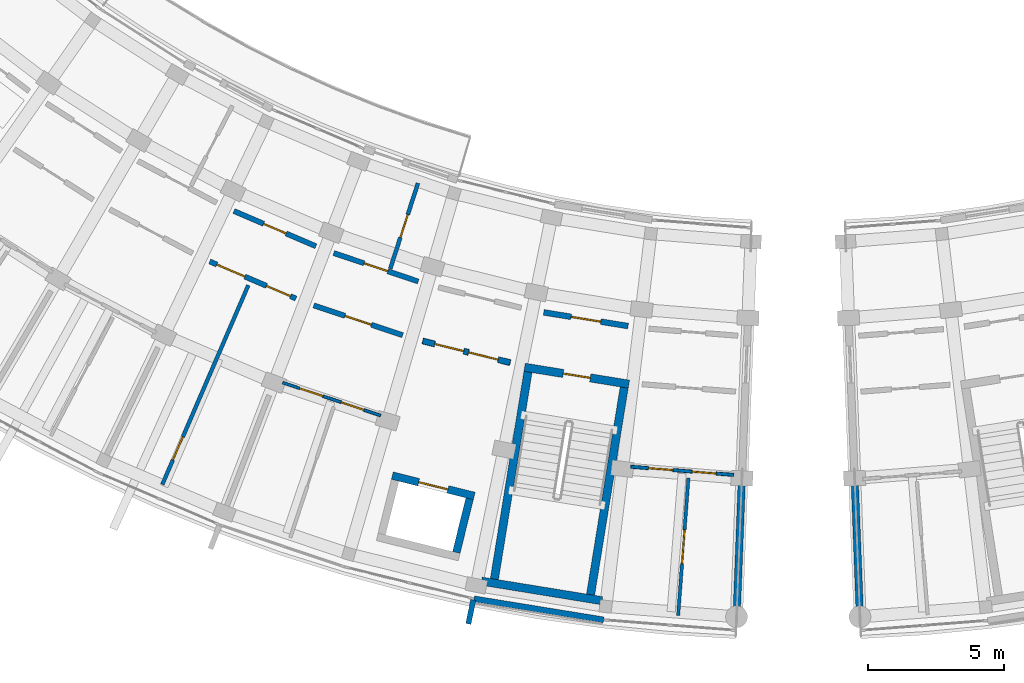
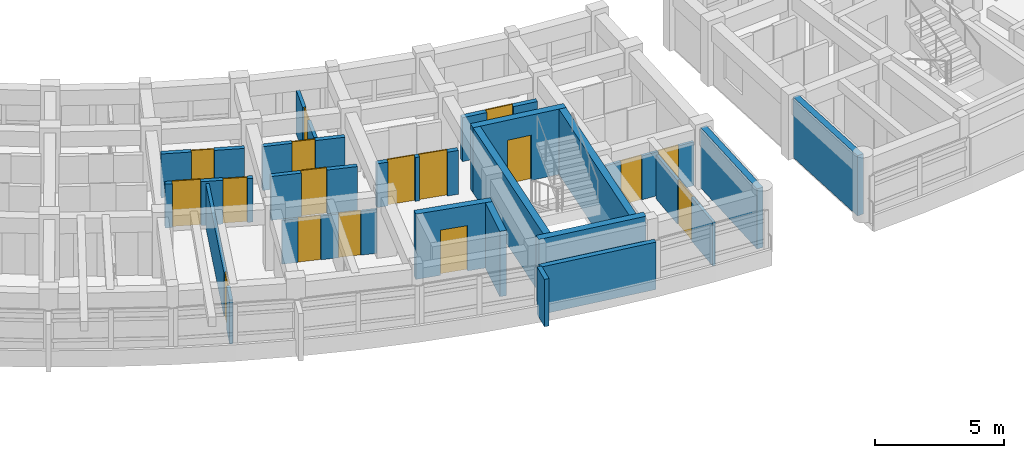
# One storey, part 34 of 56: 21 walls, 17 doors, 17 openings.
"""IFC4 building model written with IfcOpenShell, lengths in metres."""

import ifcopenshell
import ifcopenshell.guid

model = None  # the IFC model being written
_history = None  # IfcOwnerHistory: only IFC2X3 demands one
_inside = {}  # id of a spatial element -> (the spatial element, [elements in it])
_under = {}  # id of a project, library or spatial element -> (it, [spatial elements below it])
_declared = {}  # id of a project -> (the project, [libraries it declares])
_typed = {}  # id of a type object -> (the type object, [elements of that type])
_made_of = {}  # id of a material, layer set ... -> (it, [elements and type objects made of it])


def new_model(schema):
    """Start an empty IFC model of exactly this schema.

    Asked for "IFC4X3", IfcOpenShell would pick the latest addendum, in which some entities
    have other attributes; the version numbers below select the first issue.
    IFC2X3 requires an IfcOwnerHistory on every rooted entity: one is made here for all.
    """
    global model, _history
    if schema == "IFC4X3":
        model = ifcopenshell.file(schema_version=(4, 3, 0, 0))
    else:
        model = ifcopenshell.file(schema=schema)
    _inside.clear()
    _under.clear()
    _declared.clear()
    _typed.clear()
    _made_of.clear()
    _history = None
    if model.schema == "IFC2X3":
        org = make("IfcOrganization", Name="unknown")
        user = make(
            "IfcPersonAndOrganization",
            ThePerson=make("IfcPerson", FamilyName="unknown"),
            TheOrganization=org,
        )
        app = make(
            "IfcApplication",
            ApplicationDeveloper=org,
            Version="unknown",
            ApplicationFullName="unknown",
            ApplicationIdentifier="unknown",
        )
        _history = make(
            "IfcOwnerHistory",
            OwningUser=user,
            OwningApplication=app,
            ChangeAction="ADDED",
            CreationDate=0,
        )
    return model


def make(cls, **values):
    """One entity of the class cls with the attributes given. An attribute that is None is left unset."""
    return model.create_entity(
        cls, **{name: value for name, value in values.items() if value is not None}
    )


def rooted(cls, **values):
    """An entity with a GlobalId (a new one), such as an element, a storey or a relation."""
    return make(cls, GlobalId=ifcopenshell.guid.new(), OwnerHistory=_history, **values)


def si_unit(unit_type, name, prefix=None):
    """IfcSIUnit, for example si_unit("LENGTHUNIT", "METRE", prefix="MILLI")."""
    return make("IfcSIUnit", UnitType=unit_type, Prefix=prefix, Name=name)


def assignment(units):
    """IfcUnitAssignment: the units of a project."""
    return None if units is None else make("IfcUnitAssignment", Units=units)


def point(xyz):
    """IfcCartesianPoint."""
    return None if xyz is None else make("IfcCartesianPoint", Coordinates=xyz)


def direction(xyz):
    """IfcDirection."""
    return None if xyz is None else make("IfcDirection", DirectionRatios=xyz)


def frame(location, z_axis=None, x_axis=None):
    """IfcAxis2Placement3D, a coordinate frame: its origin and axes. An axis left out is left unset."""
    return make(
        "IfcAxis2Placement3D",
        Location=point(location),
        Axis=direction(z_axis),
        RefDirection=direction(x_axis),
    )


def frame_2d(location, x_axis=None):
    """IfcAxis2Placement2D, a coordinate frame in the plane: its origin and x axis."""
    return make(
        "IfcAxis2Placement2D", Location=point(location), RefDirection=direction(x_axis)
    )


def origin():
    """The frame at (0, 0, 0) with its axes left unset."""
    return frame((0.0, 0.0, 0.0))


def place(relative_to, where):
    """IfcLocalPlacement: puts the frame where relative to a parent placement (None: the world)."""
    return make(
        "IfcLocalPlacement", PlacementRelTo=relative_to, RelativePlacement=where
    )


def context(
    kind, dimensions, precision=None, world=None, true_north=None, identifier=None
):
    """IfcGeometricRepresentationContext, for example the 3D "Model" context."""
    return make(
        "IfcGeometricRepresentationContext",
        ContextIdentifier=identifier,
        ContextType=kind,
        CoordinateSpaceDimension=dimensions,
        Precision=precision,
        WorldCoordinateSystem=world,
        TrueNorth=true_north,
    )


def subcontext(parent, identifier, kind, view, scale=None):
    """IfcGeometricRepresentationSubContext, for example "Body" below "Model"."""
    return make(
        "IfcGeometricRepresentationSubContext",
        ContextIdentifier=identifier,
        ContextType=kind,
        ParentContext=parent,
        TargetScale=scale,
        TargetView=view,
    )


def project(units=None, contexts=None):
    """IfcProject with its units and contexts."""
    return rooted(
        "IfcProject",
        Name="project",
        RepresentationContexts=contexts,
        UnitsInContext=assignment(units),
    )


def spatial(cls, under=None, at=None, **own):
    """A site, building, storey or space (cls), placed at a placement, below another one or the project."""
    s = rooted(cls, ObjectPlacement=at, **own)
    if under is not None:
        _under.setdefault(under.id(), (under, []))[1].append(s)
    return s


def profile(cls, at=None, kind="AREA", **sizes):
    """A parametric profile (cls). Its sizes go by their IFC names, for example OverallWidth=200.0."""
    return make(cls, ProfileType=kind, Position=at, **sizes)


def rectangle(**sizes):
    """IfcRectangleProfileDef."""
    return profile("IfcRectangleProfileDef", **sizes)


def extrude(swept, where, along, depth):
    """IfcExtrudedAreaSolid: the profile swept, set in the frame where, extruded along a direction by depth."""
    return make(
        "IfcExtrudedAreaSolid",
        SweptArea=swept,
        Position=where,
        ExtrudedDirection=direction(along),
        Depth=depth,
    )


def shape(context_of_items, identifier, shape_type, items):
    """IfcShapeRepresentation: the items that make up one representation, for example the "Body"."""
    return make(
        "IfcShapeRepresentation",
        ContextOfItems=context_of_items,
        RepresentationIdentifier=identifier,
        RepresentationType=shape_type,
        Items=items,
    )


def material(Name=None, Category=None):
    """IfcMaterial."""
    return make("IfcMaterial", Name=Name, Category=Category)


def layer(
    of_material, thickness, ventilated=None, Name=None, Category=None, Priority=None
):
    """IfcMaterialLayer: one layer of a wall or slab, of a material (None: an air gap)."""
    return make(
        "IfcMaterialLayer",
        Material=of_material,
        LayerThickness=thickness,
        IsVentilated=ventilated,
        Name=Name,
        Category=Category,
        Priority=Priority,
    )


def layer_set(layers, Name=None):
    """IfcMaterialLayerSet."""
    return make("IfcMaterialLayerSet", MaterialLayers=layers, LayerSetName=Name)


def made_of(thing, what):
    """Note that an element or type object is made of a material, layer set ...; save() writes the relation."""
    if what is not None:
        _made_of.setdefault(what.id(), (what, []))[1].append(thing)
    return thing


def type_object(cls, material=None, **own):
    """A type object (cls), such as IfcWallType, which elements share."""
    return made_of(rooted(cls, **own), material)


def element(
    cls,
    number,
    at=None,
    inside=None,
    cuts=None,
    type_object=None,
    material=None,
    context=None,
    identifier="Body",
    shape_type=None,
    held_by="IfcProductDefinitionShape",
    body=None,
    shapes=None,
    **own,
):
    """One element of the class cls, such as IfcWall. Its Tag is "e" and its number.

    at: its placement. inside: the storey or other place that contains it. cuts: it is an
    opening in that element (IfcRelVoidsElement). A single representation is given by context,
    identifier, shape_type and body (its items); several are given by shapes. held_by: the class
    of the entity that holds the representations. save() writes the other relations.
    """
    e = rooted(cls, Tag="e%d" % number, ObjectPlacement=at, **own)
    if body is not None:
        shapes = [shape(context, identifier, shape_type, body)]
    if shapes is not None:
        e.Representation = make(held_by, Representations=shapes)
    if inside is not None:
        _inside.setdefault(inside.id(), (inside, []))[1].append(e)
    if cuts is not None:
        rooted(
            "IfcRelVoidsElement", RelatingBuildingElement=cuts, RelatedOpeningElement=e
        )
    if type_object is not None:
        _typed.setdefault(type_object.id(), (type_object, []))[1].append(e)
    return made_of(e, material)


def fill(opening, filler):
    """IfcRelFillsElement: the door or window that sits in an opening."""
    return rooted(
        "IfcRelFillsElement",
        RelatingOpeningElement=opening,
        RelatedBuildingElement=filler,
    )


def aggregate(whole, parts):
    """IfcRelAggregates: a whole, such as a stair, and the parts it consists of."""
    return rooted("IfcRelAggregates", RelatingObject=whole, RelatedObjects=parts)


def save(model, path):
    """Write the relations noted so far, then the file.

    IfcRelAggregates (storeys below a building ...), IfcRelContainedInSpatialStructure (elements
    in a storey), IfcRelDefinesByType, IfcRelAssociatesMaterial and IfcRelDeclares: one each for
    every whole, place, type object, material and project.
    """
    for whole, parts in _under.values():
        aggregate(whole, parts)
    for where, things in _inside.values():
        rooted(
            "IfcRelContainedInSpatialStructure",
            RelatedElements=things,
            RelatingStructure=where,
        )
    for kind, things in _typed.values():
        rooted("IfcRelDefinesByType", RelatedObjects=things, RelatingType=kind)
    for what, things in _made_of.values():
        rooted("IfcRelAssociatesMaterial", RelatedObjects=things, RelatingMaterial=what)
    for by, libraries in _declared.values():
        rooted("IfcRelDeclares", RelatingContext=by, RelatedDefinitions=libraries)
    model.write(path)


model = new_model("IFC4")

# Units and contexts
model_context = context("Model", 3, precision=1e-05, world=origin(), true_north=direction((0.0, 1.0)))
body_context = subcontext(model_context, "Body", "Model", "MODEL_VIEW")
ifc_project = project(units=[si_unit("LENGTHUNIT", "METRE"), si_unit("AREAUNIT", "SQUARE_METRE"), si_unit("VOLUMEUNIT", "CUBIC_METRE"), si_unit("PLANEANGLEUNIT", "RADIAN"), si_unit("MASSUNIT", "GRAM", prefix="KILO")], contexts=[model_context])

# Site, building, storey
site_placement = place(None, origin())
site = spatial("IfcSite", under=ifc_project, at=site_placement, CompositionType="ELEMENT")
building_placement = place(site_placement, origin())
building = spatial("IfcBuilding", under=site, at=building_placement, Name="Zimvara Arc Housing Community", CompositionType="ELEMENT")
storey_placement = place(building_placement, frame((0.0, 0.0, 11.199951171875)))
storey = spatial("IfcBuildingStorey", under=building, at=storey_placement, Name="L03", CompositionType="ELEMENT", Elevation=11.199951171875)

# Walls
ifc_material_1 = material(Name="Board-Marked Fair-Faced Concrete C35/45", Category="concrete")
ifc_layer_1 = layer(ifc_material_1, 0.195068359375)
ifc_layer_set_1 = layer_set([ifc_layer_1], Name="Board-Marked Fair-Faced Concrete C35/45")
wall_type_1 = type_object("IfcWallType", Name="EWL-PARA-195", PredefinedType="PARAPET", material=ifc_layer_set_1)
wall_1_placement = place(storey_placement, frame((114.072509765625, 51.645263671875, 0.0), z_axis=(0.0, 0.0, 1.0), x_axis=(-0.200236425943, -0.979747607155, 0.0)))
element("IfcWall", 1, at=wall_1_placement, inside=storey, type_object=wall_type_1, Name="finwall:blkC:L03:out:b8", PredefinedType="PARAPET", context=body_context, shape_type="SweptSolid", body=[
    extrude(rectangle(XDim=0.89990234375, YDim=0.195068359375, at=frame_2d((0.449951171875, 0.0))), origin(), (0.0, 0.0, 1.0), 2.25),
])
ifc_material_2 = material(Name="Board-Marked Fair-Faced Concrete C35/45", Category="concrete")
ifc_layer_2 = layer(ifc_material_2, 0.218017578125)
ifc_layer_set_2 = layer_set([ifc_layer_2], Name="Board-Marked Fair-Faced Concrete C35/45")
wall_type_2 = type_object("IfcWallType", Name="EWL-VAR-12", PredefinedType="SOLIDWALL", material=ifc_layer_set_2)
wall_2_placement = place(storey_placement, frame((114.100341796875, 51.681396484375, 0.0), z_axis=(0.0, 0.0, 1.0), x_axis=(0.987080750493, -0.160223568819, 0.0)))
element("IfcWall", 2, at=wall_2_placement, inside=storey, type_object=wall_type_2, Name="ewall:blkC:L03:out:b8", PredefinedType="SOLIDWALL", context=body_context, shape_type="SweptSolid", body=[
    extrude(rectangle(XDim=4.808837890625, YDim=0.218017578125, at=frame_2d((2.404296875, 0.0))), origin(), (0.0, 0.0, 1.0), 2.25),
])

# Wall, openings, doors
ifc_material_3 = material(Name="Concrete C35/45", Category="concrete")
ifc_layer_3 = layer(ifc_material_3, 0.2099609375)
ifc_layer_set_3 = layer_set([ifc_layer_3], Name="Concrete C35/45")
wall_type_3 = type_object("IfcWallType", Name="IWL-CCF-210", PredefinedType="SOLIDWALL", material=ifc_layer_set_3)
wall_3_placement = place(storey_placement, frame((112.222900390625, 61.130126953125, 0.0), z_axis=(0.0, 0.0, 1.0), x_axis=(0.970719238682, -0.240216901263, 0.0)))
wall_3 = element("IfcWall", 3, at=wall_3_placement, inside=storey, type_object=wall_type_3, Name="iwall:blkC:L03:ll_div:b7", PredefinedType="SOLIDWALL", context=body_context, shape_type="SweptSolid", body=[
    extrude(rectangle(XDim=3.2958984375, YDim=0.2099609375, at=frame_2d((1.64794921875, 0.0))), origin(), (0.0, 0.0, 1.0), 2.080078125),
])
opening_1_placement = place(wall_3_placement, frame((0.449951171875, 0.0, 0.0)))
opening_1 = element("IfcOpeningElement", 4, at=opening_1_placement, cuts=wall_3, Name="Opening FD-CCF1", PredefinedType="OPENING", context=body_context, shape_type="SweptSolid", body=[
    extrude(rectangle(XDim=1.10009765625, YDim=2.14990234375, at=frame_2d((0.550048828125, 1.074951171875))), frame((0.0, 0.114990234375, 0.0), z_axis=(0.0, -1.0, 0.0), x_axis=(1.0, 0.0, 0.0)), (0.0, 0.0, 1.0), 0.22998046875),
])
opening_2_placement = place(wall_3_placement, frame((1.72607421875, 0.0, 0.0)))
opening_2 = element("IfcOpeningElement", 5, at=opening_2_placement, cuts=wall_3, Name="Opening D07", PredefinedType="OPENING", context=body_context, shape_type="SweptSolid", body=[
    extrude(rectangle(XDim=1.1201171875, YDim=2.14990234375, at=frame_2d((0.56005859375, 1.074951171875))), frame((0.0, 0.114990234375, 0.0), z_axis=(0.0, -1.0, 0.0), x_axis=(1.0, 0.0, 0.0)), (0.0, 0.0, 1.0), 0.22998046875),
])
ifc_material_4 = material(Name="Mozambican Hardwood", Category="wood")
door_type_1 = type_object("IfcDoorType", Name="IDR-AMN-1120x2150", OperationType="NOTDEFINED", PredefinedType="DOOR", material=ifc_material_4)
door_1_placement = place(opening_2_placement, origin())
door_1 = element("IfcDoor", 6, at=door_1_placement, inside=storey, type_object=door_type_1, Name="idoor:blkC:L03:rs_in:b7", OperationType="SINGLE_SWING_LEFT", OverallHeight=2.14990234375, OverallWidth=1.1201171875, PredefinedType="DOOR", context=body_context, shape_type="SweptSolid", body=[
    extrude(rectangle(XDim=1.1201171875, YDim=2.14990234375, at=frame_2d((0.56005859375, 1.074951171875))), frame((0.0, 0.02490234375, 0.0), z_axis=(0.0, -1.0, 0.0), x_axis=(1.0, 0.0, 0.0)), (0.0, 0.0, 1.0), 0.050048828125),
])
fill(opening_2, door_1)
ifc_material_5 = material(Name="Anodised Aluminium AW-6063", Category="aluminium")
door_type_2 = type_object("IfcDoorType", Name="IDR-CCF-1100x2150", OperationType="NOTDEFINED", PredefinedType="DOOR", material=ifc_material_5)
door_2_placement = place(opening_1_placement, origin())
door_2 = element("IfcDoor", 7, at=door_2_placement, inside=storey, type_object=door_type_2, Name="idoor:blkC:L03:ll_in:b7", OperationType="SINGLE_SWING_RIGHT", OverallHeight=2.14990234375, OverallWidth=1.10009765625, PredefinedType="DOOR", context=body_context, shape_type="SweptSolid", body=[
    extrude(rectangle(XDim=1.10009765625, YDim=2.14990234375, at=frame_2d((0.550048828125, 1.074951171875))), frame((0.0, 0.02490234375, 0.0), z_axis=(0.0, -1.0, 0.0), x_axis=(1.0, 0.0, 0.0)), (0.0, 0.0, 1.0), 0.050048828125),
])
fill(opening_1, door_2)

# Wall, opening, door
wall_4_placement = place(storey_placement, frame((116.655517578125, 62.178466796875, 0.0), z_axis=(0.0, 0.0, 1.0), x_axis=(0.987083140276, -0.16020884552, 0.0)))
wall_4 = element("IfcWall", 8, at=wall_4_placement, inside=storey, type_object=wall_type_3, Name="iwall:blkC:L03:ccf_div:b8", PredefinedType="SOLIDWALL", context=body_context, shape_type="SweptSolid", body=[
    extrude(rectangle(XDim=3.128662109375, YDim=0.2099609375, at=frame_2d((1.564453125, 0.0))), origin(), (0.0, 0.0, 1.0), 2.080078125),
])
opening_3_placement = place(wall_4_placement, frame((1.014404296875, 0.0, 0.0)))
opening_3 = element("IfcOpeningElement", 9, at=opening_3_placement, cuts=wall_4, Name="Opening FD-CCF1", PredefinedType="OPENING", context=body_context, shape_type="SweptSolid", body=[
    extrude(rectangle(XDim=1.10009765625, YDim=2.14990234375, at=frame_2d((0.550048828125, 1.074951171875))), frame((0.0, 0.114990234375, 0.0), z_axis=(0.0, -1.0, 0.0), x_axis=(1.0, 0.0, 0.0)), (0.0, 0.0, 1.0), 0.22998046875),
])
door_3_placement = place(opening_3_placement, origin())
door_3 = element("IfcDoor", 10, at=door_3_placement, inside=storey, type_object=door_type_2, Name="idoor:blkC:L03:ccf_in:b8", OperationType="SINGLE_SWING_LEFT", OverallHeight=2.14990234375, OverallWidth=1.10009765625, PredefinedType="DOOR", context=body_context, shape_type="SweptSolid", body=[
    extrude(rectangle(XDim=1.10009765625, YDim=2.14990234375, at=frame_2d((0.550048828125, 1.074951171875))), frame((0.0, 0.02490234375, 0.0), z_axis=(0.0, -1.0, 0.0), x_axis=(1.0, 0.0, 0.0)), (0.0, 0.0, 1.0), 0.050048828125),
])
fill(opening_3, door_3)

# Wall, openings, doors
ifc_material_6 = material(Name="Concrete C35/45", Category="concrete")
ifc_layer_4 = layer(ifc_material_6, 0.18994140625)
ifc_layer_set_4 = layer_set([ifc_layer_4], Name="Concrete C35/45")
wall_type_4 = type_object("IfcWallType", Name="IWL-CORR-190", PredefinedType="SOLIDWALL", material=ifc_layer_set_4)
wall_5_placement = place(storey_placement, frame((104.41650390625, 64.0439453125, 0.0), z_axis=(0.0, 0.0, 1.0), x_axis=(0.918718172399, -0.394913813008, 0.0)))
wall_5 = element("IfcWall", 11, at=wall_5_placement, inside=storey, type_object=wall_type_4, Name="iwall:blkC:L03:corr_out:b5", PredefinedType="SOLIDWALL", context=body_context, shape_type="SweptSolid", body=[
    extrude(rectangle(XDim=3.43603515625, YDim=0.18994140625, at=frame_2d((1.718017578125, 0.0))), origin(), (0.0, 0.0, 1.0), 2.080078125),
])
opening_4_placement = place(wall_5_placement, frame((0.280029296875, 0.0, 0.0)))
opening_4 = element("IfcOpeningElement", 12, at=opening_4_placement, cuts=wall_5, Name="Opening D07", PredefinedType="OPENING", context=body_context, shape_type="SweptSolid", body=[
    extrude(rectangle(XDim=1.1201171875, YDim=2.14990234375, at=frame_2d((0.56005859375, 1.074951171875))), frame((0.0, 0.10498046875, 0.0), z_axis=(0.0, -1.0, 0.0), x_axis=(1.0, 0.0, 0.0)), (0.0, 0.0, 1.0), 0.2099609375),
])
opening_5_placement = place(wall_5_placement, frame((2.26611328125, 0.0, 0.0)))
opening_5 = element("IfcOpeningElement", 13, at=opening_5_placement, cuts=wall_5, Name="Opening D06", PredefinedType="OPENING", context=body_context, shape_type="SweptSolid", body=[
    extrude(rectangle(XDim=0.949951171875, YDim=2.10009765625, at=frame_2d((0.47509765625, 1.050048828125))), frame((0.0, 0.10498046875, 0.0), z_axis=(0.0, -1.0, 0.0), x_axis=(1.0, 0.0, 0.0)), (0.0, 0.0, 1.0), 0.2099609375),
])
door_4_placement = place(opening_4_placement, origin())
door_4 = element("IfcDoor", 14, at=door_4_placement, inside=storey, type_object=door_type_1, Name="idoor:blkC:L03:amen:b5", OperationType="SINGLE_SWING_RIGHT", OverallHeight=2.14990234375, OverallWidth=1.1201171875, PredefinedType="DOOR", context=body_context, shape_type="SweptSolid", body=[
    extrude(rectangle(XDim=1.1201171875, YDim=2.14990234375, at=frame_2d((0.56005859375, 1.074951171875))), frame((0.0, 0.02490234375, 0.0), z_axis=(0.0, -1.0, 0.0), x_axis=(1.0, 0.0, 0.0)), (0.0, 0.0, 1.0), 0.050048828125),
])
fill(opening_4, door_4)
ifc_material_7 = material(Name="Mozambican Hardwood", Category="wood")
door_type_3 = type_object("IfcDoorType", Name="IDR-AWC-0950x2100", OperationType="NOTDEFINED", PredefinedType="DOOR", material=ifc_material_7)
door_5_placement = place(opening_5_placement, origin())
door_5 = element("IfcDoor", 15, at=door_5_placement, inside=storey, type_object=door_type_3, Name="idoor:blkC:L03:cawc:b5", OperationType="SINGLE_SWING_LEFT", OverallHeight=2.10009765625, OverallWidth=0.949951171875, PredefinedType="DOOR", context=body_context, shape_type="SweptSolid", body=[
    extrude(rectangle(XDim=0.949951171875, YDim=2.10009765625, at=frame_2d((0.47509765625, 1.050048828125))), frame((0.0, 0.02490234375, 0.0), z_axis=(0.0, -1.0, 0.0), x_axis=(1.0, 0.0, 0.0)), (0.0, 0.0, 1.0), 0.050048828125),
])
fill(opening_5, door_5)

# Wall, opening, door
wall_6_placement = place(storey_placement, frame((105.30224609375, 65.892822265625, 0.0), z_axis=(0.0, 0.0, 1.0), x_axis=(0.918723391052, -0.394901672235, 0.0)))
wall_6 = element("IfcWall", 16, at=wall_6_placement, inside=storey, type_object=wall_type_4, Name="iwall:blkC:L03:corr_in:b5", PredefinedType="SOLIDWALL", context=body_context, shape_type="SweptSolid", body=[
    extrude(rectangle(XDim=3.2685546875, YDim=0.18994140625, at=frame_2d((1.63427734375, 0.0))), origin(), (0.0, 0.0, 1.0), 2.080078125),
])
opening_6_placement = place(wall_6_placement, frame((1.184326171875, 0.0, 0.0)))
opening_6 = element("IfcOpeningElement", 17, at=opening_6_placement, cuts=wall_6, Name="Opening D01", PredefinedType="OPENING", context=body_context, shape_type="SweptSolid", body=[
    extrude(rectangle(XDim=0.89990234375, YDim=2.10009765625, at=frame_2d((0.449951171875, 1.050048828125))), frame((0.0, 0.10498046875, 0.0), z_axis=(0.0, -1.0, 0.0), x_axis=(1.0, 0.0, 0.0)), (0.0, 0.0, 1.0), 0.2099609375),
])
ifc_material_8 = material(Name="Mozambican Hardwood", Category="wood")
door_type_4 = type_object("IfcDoorType", Name="IDR-RM-0900x2100", OperationType="NOTDEFINED", PredefinedType="DOOR", material=ifc_material_8)
door_6_placement = place(opening_6_placement, origin())
door_6 = element("IfcDoor", 18, at=door_6_placement, inside=storey, type_object=door_type_4, Name="idoor:blkC:L03:in_rm:b5", OperationType="SINGLE_SWING_RIGHT", OverallHeight=2.10009765625, OverallWidth=0.89990234375, PredefinedType="DOOR", context=body_context, shape_type="SweptSolid", body=[
    extrude(rectangle(XDim=0.89990234375, YDim=2.10009765625, at=frame_2d((0.449951171875, 1.050048828125))), frame((0.0, 0.02490234375, 0.0), z_axis=(0.0, -1.0, 0.0), x_axis=(1.0, 0.0, 0.0)), (0.0, 0.0, 1.0), 0.050048828125),
])
fill(opening_6, door_6)

wall_7_placement = place(storey_placement, frame((108.2265625, 62.437255859375, 0.0), z_axis=(0.0, 0.0, 1.0), x_axis=(0.947884468821, -0.318614239745, 0.0)))
wall_7 = element("IfcWall", 19, at=wall_7_placement, inside=storey, type_object=wall_type_4, Name="iwall:blkC:L03:corr_out:b6", PredefinedType="SOLIDWALL", context=body_context, shape_type="SweptSolid", body=[
    extrude(rectangle(XDim=3.435791015625, YDim=0.18994140625, at=frame_2d((1.7177734375, 0.0))), origin(), (0.0, 0.0, 1.0), 2.080078125),
])
opening_7_placement = place(wall_7_placement, frame((1.2080078125, 0.0, 0.0)))
opening_7 = element("IfcOpeningElement", 20, at=opening_7_placement, cuts=wall_7, Name="Opening FD-FL2", PredefinedType="OPENING", context=body_context, shape_type="SweptSolid", body=[
    extrude(rectangle(XDim=1.02001953125, YDim=2.14990234375, at=frame_2d((0.510009765625, 1.074951171875))), frame((0.0, 0.10498046875, 0.0), z_axis=(0.0, -1.0, 0.0), x_axis=(1.0, 0.0, 0.0)), (0.0, 0.0, 1.0), 0.2099609375),
])
ifc_material_9 = material(Name="Mozambican Hardwood", Category="wood")
door_type_5 = type_object("IfcDoorType", Name="IDR-FLAT-1020x2150", OperationType="NOTDEFINED", PredefinedType="DOOR", material=ifc_material_9)
door_7_placement = place(opening_7_placement, origin())
door_7 = element("IfcDoor", 21, at=door_7_placement, inside=storey, type_object=door_type_5, Name="idoor:blkC:L03:flat:b6", OperationType="SINGLE_SWING_RIGHT", OverallHeight=2.14990234375, OverallWidth=1.02001953125, PredefinedType="DOOR", context=body_context, shape_type="SweptSolid", body=[
    extrude(rectangle(XDim=1.02001953125, YDim=2.14990234375, at=frame_2d((0.510009765625, 1.074951171875))), frame((0.0, 0.02490234375, 0.0), z_axis=(0.0, -1.0, 0.0), x_axis=(1.0, 0.0, 0.0)), (0.0, 0.0, 1.0), 0.050048828125),
])
fill(opening_7, door_7)

wall_8_placement = place(storey_placement, frame((108.95849609375, 64.352294921875, 0.0), z_axis=(0.0, 0.0, 1.0), x_axis=(0.94787351033, -0.318646839643, 0.0)))
wall_8 = element("IfcWall", 22, at=wall_8_placement, inside=storey, type_object=wall_type_4, Name="iwall:blkC:L03:corr_in:b6", PredefinedType="SOLIDWALL", context=body_context, shape_type="SweptSolid", body=[
    extrude(rectangle(XDim=3.2685546875, YDim=0.18994140625, at=frame_2d((1.63427734375, 0.0))), origin(), (0.0, 0.0, 1.0), 2.080078125),
])
opening_8_placement = place(wall_8_placement, frame((1.17431640625, 0.0, 0.0)))
opening_8 = element("IfcOpeningElement", 23, at=opening_8_placement, cuts=wall_8, Name="Opening D02", PredefinedType="OPENING", context=body_context, shape_type="SweptSolid", body=[
    extrude(rectangle(XDim=0.919921875, YDim=2.10009765625, at=frame_2d((0.4599609375, 1.050048828125))), frame((0.0, 0.10498046875, 0.0), z_axis=(0.0, -1.0, 0.0), x_axis=(1.0, 0.0, 0.0)), (0.0, 0.0, 1.0), 0.2099609375),
])
ifc_material_10 = material(Name="Mozambican Hardwood", Category="wood")
door_type_6 = type_object("IfcDoorType", Name="IDR-RM-0920x2100", OperationType="NOTDEFINED", PredefinedType="DOOR", material=ifc_material_10)
door_8_placement = place(opening_8_placement, origin())
door_8 = element("IfcDoor", 24, at=door_8_placement, inside=storey, type_object=door_type_6, Name="idoor:blkC:L03:in_rm:b6", OperationType="SINGLE_SWING_LEFT", OverallHeight=2.10009765625, OverallWidth=0.919921875, PredefinedType="DOOR", context=body_context, shape_type="SweptSolid", body=[
    extrude(rectangle(XDim=0.919921875, YDim=2.10009765625, at=frame_2d((0.4599609375, 1.050048828125))), frame((0.0, 0.02490234375, 0.0), z_axis=(0.0, -1.0, 0.0), x_axis=(1.0, 0.0, 0.0)), (0.0, 0.0, 1.0), 0.050048828125),
])
fill(opening_8, door_8)

# Wall, openings, doors
ifc_material_11 = material(Name="Painted Acoustic Plasterboard")
ifc_layer_5 = layer(ifc_material_11, 0.10009765625)
ifc_layer_set_5 = layer_set([ifc_layer_5], Name="Painted Acoustic Plasterboard")
wall_type_5 = type_object("IfcWallType", Name="IWL-PART-100", PredefinedType="PARTITIONING", material=ifc_layer_set_5)
wall_9_placement = place(storey_placement, frame((107.090087890625, 59.604248046875, 0.0), z_axis=(0.0, 0.0, 1.0), x_axis=(0.947873924847, -0.318645606584, 0.0)))
wall_9 = element("IfcWall", 25, at=wall_9_placement, inside=storey, type_object=wall_type_5, Name="iwall:blkC:L03:srv:b6", PredefinedType="PARTITIONING", context=body_context, shape_type="SweptSolid", body=[
    extrude(rectangle(XDim=3.784912109375, YDim=0.10009765625, at=frame_2d((1.892578125, 0.0))), origin(), (0.0, 0.0, 1.0), 2.080078125),
])
opening_9_placement = place(wall_9_placement, frame((0.64990234375, 0.0, 0.0)))
opening_9 = element("IfcOpeningElement", 26, at=opening_9_placement, cuts=wall_9, Name="Opening D01", PredefinedType="OPENING", context=body_context, shape_type="SweptSolid", body=[
    extrude(rectangle(XDim=0.89990234375, YDim=2.10009765625, at=frame_2d((0.449951171875, 1.050048828125))), frame((0.0, 0.06005859375, 0.0), z_axis=(0.0, -1.0, 0.0), x_axis=(1.0, 0.0, 0.0)), (0.0, 0.0, 1.0), 0.1201171875),
])
opening_10_placement = place(wall_9_placement, frame((2.255126953125, 0.0, 0.0)))
opening_10 = element("IfcOpeningElement", 27, at=opening_10_placement, cuts=wall_9, Name="Opening D05", PredefinedType="OPENING", context=body_context, shape_type="SweptSolid", body=[
    extrude(rectangle(XDim=0.8798828125, YDim=2.10009765625, at=frame_2d((0.43994140625, 1.050048828125))), frame((0.0, 0.06005859375, 0.0), z_axis=(0.0, -1.0, 0.0), x_axis=(1.0, 0.0, 0.0)), (0.0, 0.0, 1.0), 0.1201171875),
])
door_9_placement = place(opening_9_placement, origin())
door_9 = element("IfcDoor", 28, at=door_9_placement, inside=storey, type_object=door_type_4, Name="idoor:blkC:L03:kit_liv:b6", OperationType="SINGLE_SWING_LEFT", OverallHeight=2.10009765625, OverallWidth=0.89990234375, PredefinedType="DOOR", context=body_context, shape_type="SweptSolid", body=[
    extrude(rectangle(XDim=0.89990234375, YDim=2.10009765625, at=frame_2d((0.449951171875, 1.050048828125))), frame((0.0, 0.02490234375, 0.0), z_axis=(0.0, -1.0, 0.0), x_axis=(1.0, 0.0, 0.0)), (0.0, 0.0, 1.0), 0.050048828125),
])
fill(opening_9, door_9)
ifc_material_12 = material(Name="Mozambican Hardwood", Category="wood")
door_type_7 = type_object("IfcDoorType", Name="IDR-WC-0880x2100", OperationType="NOTDEFINED", PredefinedType="DOOR", material=ifc_material_12)
door_10_placement = place(opening_10_placement, origin())
door_10 = element("IfcDoor", 29, at=door_10_placement, inside=storey, type_object=door_type_7, Name="idoor:blkC:L03:bath_d:b6", OperationType="SINGLE_SWING_RIGHT", OverallHeight=2.10009765625, OverallWidth=0.8798828125, PredefinedType="DOOR", context=body_context, shape_type="SweptSolid", body=[
    extrude(rectangle(XDim=0.8798828125, YDim=2.10009765625, at=frame_2d((0.43994140625, 1.050048828125))), frame((0.0, 0.02490234375, 0.0), z_axis=(0.0, -1.0, 0.0), x_axis=(1.0, 0.0, 0.0)), (0.0, 0.0, 1.0), 0.050048828125),
])
fill(opening_10, door_10)

ifc_material_13 = material(Name="Painted Acoustic Plasterboard")
ifc_layer_6 = layer(ifc_material_13, 0.114990234375)
ifc_layer_set_6 = layer_set([ifc_layer_6], Name="Painted Acoustic Plasterboard")
wall_type_6 = type_object("IfcWallType", Name="IWL-PART-115", PredefinedType="PARTITIONING", material=ifc_layer_set_6)
wall_10_placement = place(storey_placement, frame((119.846435546875, 56.52294921875, 0.0), z_axis=(0.0, 0.0, 1.0), x_axis=(0.996863292793, -0.079142753818, 0.0)))
wall_10 = element("IfcWall", 30, at=wall_10_placement, inside=storey, type_object=wall_type_6, Name="iwall:blkC:L03:srv:b9", PredefinedType="PARTITIONING", context=body_context, shape_type="SweptSolid", body=[
    extrude(rectangle(XDim=3.78515625, YDim=0.114990234375, at=frame_2d((1.892578125, 0.0))), origin(), (0.0, 0.0, 1.0), 2.080078125),
])
opening_11_placement = place(wall_10_placement, frame((0.64990234375, 0.0, 0.0)))
opening_11 = element("IfcOpeningElement", 31, at=opening_11_placement, cuts=wall_10, Name="Opening D01", PredefinedType="OPENING", context=body_context, shape_type="SweptSolid", body=[
    extrude(rectangle(XDim=0.89990234375, YDim=2.10009765625, at=frame_2d((0.449951171875, 1.050048828125))), frame((0.0, 0.0673828125, 0.0), z_axis=(0.0, -1.0, 0.0), x_axis=(1.0, 0.0, 0.0)), (0.0, 0.0, 1.0), 0.135009765625),
])
opening_12_placement = place(wall_10_placement, frame((2.255126953125, 0.0, 0.0)))
opening_12 = element("IfcOpeningElement", 32, at=opening_12_placement, cuts=wall_10, Name="Opening D05", PredefinedType="OPENING", context=body_context, shape_type="SweptSolid", body=[
    extrude(rectangle(XDim=0.8798828125, YDim=2.10009765625, at=frame_2d((0.43994140625, 1.050048828125))), frame((0.0, 0.0673828125, 0.0), z_axis=(0.0, -1.0, 0.0), x_axis=(1.0, 0.0, 0.0)), (0.0, 0.0, 1.0), 0.135009765625),
])
door_11_placement = place(opening_11_placement, origin())
door_11 = element("IfcDoor", 33, at=door_11_placement, inside=storey, type_object=door_type_4, Name="idoor:blkC:L03:kit_liv:b9", OperationType="SINGLE_SWING_RIGHT", OverallHeight=2.10009765625, OverallWidth=0.89990234375, PredefinedType="DOOR", context=body_context, shape_type="SweptSolid", body=[
    extrude(rectangle(XDim=0.89990234375, YDim=2.10009765625, at=frame_2d((0.449951171875, 1.050048828125))), frame((0.0, 0.02490234375, 0.0), z_axis=(0.0, -1.0, 0.0), x_axis=(1.0, 0.0, 0.0)), (0.0, 0.0, 1.0), 0.050048828125),
])
fill(opening_11, door_11)
door_12_placement = place(opening_12_placement, origin())
door_12 = element("IfcDoor", 34, at=door_12_placement, inside=storey, type_object=door_type_7, Name="idoor:blkC:L03:bath_d:b9", OperationType="SINGLE_SWING_LEFT", OverallHeight=2.10009765625, OverallWidth=0.8798828125, PredefinedType="DOOR", context=body_context, shape_type="SweptSolid", body=[
    extrude(rectangle(XDim=0.8798828125, YDim=2.10009765625, at=frame_2d((0.43994140625, 1.050048828125))), frame((0.0, 0.02490234375, 0.0), z_axis=(0.0, -1.0, 0.0), x_axis=(1.0, 0.0, 0.0)), (0.0, 0.0, 1.0), 0.050048828125),
])
fill(opening_12, door_12)

# Wall, opening, door
ifc_material_14 = material(Name="Painted Acoustic Plasterboard")
ifc_layer_7 = layer(ifc_material_14, 0.1201171875)
ifc_layer_set_7 = layer_set([ifc_layer_7], Name="Painted Acoustic Plasterboard")
wall_type_7 = type_object("IfcWallType", Name="IWL-PART-120", PredefinedType="PARTITIONING", material=ifc_layer_set_7)
wall_11_placement = place(storey_placement, frame((121.95654296875, 56.1103515625, 0.0), z_axis=(0.0, 0.0, 1.0), x_axis=(-0.074644522148, -0.997210206182, 0.0)))
wall_11 = element("IfcWall", 35, at=wall_11_placement, inside=storey, type_object=wall_type_7, Name="iwall:blkC:L03:bed_div:b9", PredefinedType="PARTITIONING", context=body_context, shape_type="SweptSolid", body=[
    extrude(rectangle(XDim=5.050048828125, YDim=0.1201171875, at=frame_2d((2.52490234375, 0.0))), origin(), (0.0, 0.0, 1.0), 2.080078125),
])
opening_13_placement = place(wall_11_placement, frame((1.905029296875, 0.0, 0.0)))
opening_13 = element("IfcOpeningElement", 36, at=opening_13_placement, cuts=wall_11, Name="Opening D19", PredefinedType="OPENING", context=body_context, shape_type="SweptSolid", body=[
    extrude(rectangle(XDim=1.239990234375, YDim=2.10009765625, at=frame_2d((0.6201171875, 1.050048828125))), frame((0.0, 0.070068359375, 0.0), z_axis=(0.0, -1.0, 0.0), x_axis=(1.0, 0.0, 0.0)), (0.0, 0.0, 1.0), 0.14013671875),
])
ifc_material_15 = material(Name="Mozambican Hardwood", Category="wood")
door_type_8 = type_object("IfcDoorType", Name="IDR-MOD-1240x2180", OperationType="NOTDEFINED", PredefinedType="DOOR", material=ifc_material_15)
door_13_placement = place(opening_13_placement, origin())
door_13 = element("IfcDoor", 37, at=door_13_placement, inside=storey, type_object=door_type_8, Name="idoor:blkC:L03:bed_d:b9", OperationType="SINGLE_SWING_RIGHT", OverallHeight=2.10009765625, OverallWidth=1.239990234375, PredefinedType="DOOR", context=body_context, shape_type="SweptSolid", body=[
    extrude(rectangle(XDim=1.239990234375, YDim=2.10009765625, at=frame_2d((0.6201171875, 1.050048828125))), frame((0.0, 0.02490234375, 0.0), z_axis=(0.0, -1.0, 0.0), x_axis=(1.0, 0.0, 0.0)), (0.0, 0.0, 1.0), 0.050048828125),
])
fill(opening_13, door_13)

ifc_material_16 = material(Name="Painted Acoustic Plasterboard")
ifc_layer_8 = layer(ifc_material_16, 0.139892578125)
ifc_layer_set_8 = layer_set([ifc_layer_8], Name="Painted Acoustic Plasterboard")
wall_type_8 = type_object("IfcWallType", Name="IWL-PART-140", PredefinedType="PARTITIONING", material=ifc_layer_set_8)
wall_12_placement = place(storey_placement, frame((105.82861328125, 63.17333984375, 0.0), z_axis=(0.0, 0.0, 1.0), x_axis=(-0.396278945437, -0.91813016365, 0.0)))
wall_12 = element("IfcWall", 38, at=wall_12_placement, inside=storey, type_object=wall_type_8, Name="iwall:blkC:L03:amen_div:b5", PredefinedType="PARTITIONING", context=body_context, shape_type="SweptSolid", body=[
    extrude(rectangle(XDim=7.949951171875, YDim=0.139892578125, at=frame_2d((3.97509765625, 0.0))), origin(), (0.0, 0.0, 1.0), 2.080078125),
])
opening_14_placement = place(wall_12_placement, frame((6.050048828125, 0.0, 0.0)))
opening_14 = element("IfcOpeningElement", 39, at=opening_14_placement, cuts=wall_12, Name="Opening D02", PredefinedType="OPENING", context=body_context, shape_type="SweptSolid", body=[
    extrude(rectangle(XDim=0.919921875, YDim=2.10009765625, at=frame_2d((0.4599609375, 1.050048828125))), frame((0.0, 0.079833984375, 0.0), z_axis=(0.0, -1.0, 0.0), x_axis=(1.0, 0.0, 0.0)), (0.0, 0.0, 1.0), 0.159912109375),
])
door_14_placement = place(opening_14_placement, origin())
door_14 = element("IfcDoor", 40, at=door_14_placement, inside=storey, type_object=door_type_6, Name="idoor:blkC:L03:laund_d:b5", OperationType="SINGLE_SWING_LEFT", OverallHeight=2.10009765625, OverallWidth=0.919921875, PredefinedType="DOOR", context=body_context, shape_type="SweptSolid", body=[
    extrude(rectangle(XDim=0.919921875, YDim=2.10009765625, at=frame_2d((0.4599609375, 1.050048828125))), frame((0.0, 0.02490234375, 0.0), z_axis=(0.0, -1.0, 0.0), x_axis=(1.0, 0.0, 0.0)), (0.0, 0.0, 1.0), 0.050048828125),
])
fill(opening_14, door_14)

ifc_material_17 = material(Name="Painted Acoustic Plasterboard")
ifc_layer_9 = layer(ifc_material_17, 0.14501953125)
ifc_layer_set_9 = layer_set([ifc_layer_9], Name="Painted Acoustic Plasterboard")
wall_type_9 = type_object("IfcWallType", Name="IWL-WET-145", PredefinedType="PARTITIONING", material=ifc_layer_set_9)
wall_13_placement = place(storey_placement, frame((112.04638671875, 66.913818359375, 0.0), z_axis=(0.0, 0.0, 1.0), x_axis=(-0.308582493915, -0.951197584337, 0.0)))
wall_13 = element("IfcWall", 41, at=wall_13_placement, inside=storey, type_object=wall_type_9, Name="iwall:blkC:L03:ens:b6", PredefinedType="PARTITIONING", context=body_context, shape_type="SweptSolid", body=[
    extrude(rectangle(XDim=3.300048828125, YDim=0.14501953125, at=frame_2d((1.64990234375, 0.0))), origin(), (0.0, 0.0, 1.0), 2.080078125),
])
opening_15_placement = place(wall_13_placement, frame((1.2099609375, 0.0, 0.0)))
opening_15 = element("IfcOpeningElement", 42, at=opening_15_placement, cuts=wall_13, Name="Opening D05", PredefinedType="OPENING", context=body_context, shape_type="SweptSolid", body=[
    extrude(rectangle(XDim=0.8798828125, YDim=2.10009765625, at=frame_2d((0.43994140625, 1.050048828125))), frame((0.0, 0.08251953125, 0.0), z_axis=(0.0, -1.0, 0.0), x_axis=(1.0, 0.0, 0.0)), (0.0, 0.0, 1.0), 0.1650390625),
])
door_15_placement = place(opening_15_placement, origin())
door_15 = element("IfcDoor", 43, at=door_15_placement, inside=storey, type_object=door_type_7, Name="idoor:blkC:L03:ens_d:b6", OperationType="SINGLE_SWING_RIGHT", OverallHeight=2.10009765625, OverallWidth=0.8798828125, PredefinedType="DOOR", context=body_context, shape_type="SweptSolid", body=[
    extrude(rectangle(XDim=0.8798828125, YDim=2.10009765625, at=frame_2d((0.43994140625, 1.050048828125))), frame((0.0, 0.02490234375, 0.0), z_axis=(0.0, -1.0, 0.0), x_axis=(1.0, 0.0, 0.0)), (0.0, 0.0, 1.0), 0.050048828125),
])
fill(opening_15, door_15)

ifc_material_18 = material(Name="Concrete C40/50", Category="concrete")
ifc_layer_10 = layer(ifc_material_18, 0.280029296875)
ifc_layer_set_10 = layer_set([ifc_layer_10], Name="Concrete C40/50")
wall_type_10 = type_object("IfcWallType", Name="WL-CORE-280", PredefinedType="SHEAR", material=ifc_layer_set_10)
wall_14_placement = place(storey_placement, frame((111.10791015625, 56.1962890625, 0.0), z_axis=(0.0, 0.0, 1.0), x_axis=(0.970706856107, -0.240266933861, 0.0)))
wall_14 = element("IfcWall", 44, at=wall_14_placement, inside=storey, type_object=wall_type_10, Name="lwall:LP-C2:L03:front", PredefinedType="SHEAR", context=body_context, shape_type="SweptSolid", body=[
    extrude(rectangle(XDim=3.090087890625, YDim=0.280029296875, at=frame_2d((1.544921875, 0.0))), origin(), (0.0, 0.0, 1.0), 3.10009765625),
])
opening_16_placement = place(wall_14_placement, frame((0.9951171875, 0.0, 0.0)))
opening_16 = element("IfcOpeningElement", 45, at=opening_16_placement, cuts=wall_14, Name="Opening LD-LP-C2", PredefinedType="OPENING", context=body_context, shape_type="SweptSolid", body=[
    extrude(rectangle(XDim=1.10009765625, YDim=2.14990234375, at=frame_2d((0.550048828125, 1.074951171875))), frame((0.0, 0.14990234375, 0.0), z_axis=(0.0, -1.0, 0.0), x_axis=(1.0, 0.0, 0.0)), (0.0, 0.0, 1.0), 0.300048828125),
])
ifc_material_19 = material(Name="Anodised Aluminium AW-6063", Category="aluminium")
door_type_9 = type_object("IfcDoorType", Name="IDR-LD-1100x2150", OperationType="DOUBLE_DOOR_SLIDING", PredefinedType="DOOR", material=ifc_material_19)
door_16_placement = place(opening_16_placement, origin())
door_16 = element("IfcDoor", 46, at=door_16_placement, inside=storey, type_object=door_type_9, Name="Lift LP-C2 Sliding Landing Door L03", OperationType="DOUBLE_DOOR_SLIDING", OverallHeight=2.14990234375, OverallWidth=1.10009765625, PredefinedType="DOOR", context=body_context, shape_type="SweptSolid", body=[
    extrude(rectangle(XDim=1.10009765625, YDim=2.14990234375, at=frame_2d((0.550048828125, 1.074951171875))), frame((0.0, 0.02490234375, 0.0), z_axis=(0.0, -1.0, 0.0), x_axis=(1.0, 0.0, 0.0)), (0.0, 0.0, 1.0), 0.050048828125),
])
fill(opening_16, door_16)

# Wall
wall_15_placement = place(storey_placement, frame((113.93798828125, 55.3515625, 0.0), z_axis=(0.0, 0.0, 1.0), x_axis=(-0.2402993748, -0.970698825832, 0.0)))
element("IfcWall", 47, at=wall_15_placement, inside=storey, type_object=wall_type_10, Name="lwall:LP-C2:L03:right", PredefinedType="SHEAR", context=body_context, shape_type="SweptSolid", body=[
    extrude(rectangle(XDim=2.030029296875, YDim=0.280029296875, at=frame_2d((1.01513671875, 0.0))), origin(), (0.0, 0.0, 1.0), 3.10009765625),
])

# Wall, opening, door
ifc_material_20 = material(Name="Concrete C40/50", Category="concrete")
ifc_layer_11 = layer(ifc_material_20, 0.300048828125)
ifc_layer_set_11 = layer_set([ifc_layer_11], Name="Concrete C40/50")
wall_type_11 = type_object("IfcWallType", Name="WL-CORE-300", PredefinedType="SHEAR", material=ifc_layer_set_11)
wall_16_placement = place(storey_placement, frame((115.953857421875, 60.16943359375, 0.0), z_axis=(0.0, 0.0, 1.0), x_axis=(0.987077443397, -0.160243941341, 0.0)))
wall_16 = element("IfcWall", 48, at=wall_16_placement, inside=storey, type_object=wall_type_11, Name="cwall:ST-C2:L03:near", PredefinedType="SHEAR", context=body_context, shape_type="SweptSolid", body=[
    extrude(rectangle(XDim=3.869873046875, YDim=0.300048828125, at=frame_2d((1.93505859375, 0.0))), origin(), (0.0, 0.0, 1.0), 3.10009765625),
])
opening_17_placement = place(wall_16_placement, frame((1.43505859375, 0.0, 0.0)))
opening_17 = element("IfcOpeningElement", 49, at=opening_17_placement, cuts=wall_16, Name="Opening FD-ST1", PredefinedType="OPENING", context=body_context, shape_type="SweptSolid", body=[
    extrude(rectangle(XDim=1.0, YDim=2.14990234375, at=frame_2d((0.5, 1.074951171875))), frame((0.0, 0.159912109375, 0.0), z_axis=(0.0, -1.0, 0.0), x_axis=(1.0, 0.0, 0.0)), (0.0, 0.0, 1.0), 0.320068359375),
])
ifc_material_21 = material(Name="Anodised Aluminium AW-6063", Category="aluminium")
door_type_10 = type_object("IfcDoorType", Name="IDR-ST-1000x2150", OperationType="NOTDEFINED", PredefinedType="DOOR", material=ifc_material_21)
door_17_placement = place(opening_17_placement, origin())
door_17 = element("IfcDoor", 50, at=door_17_placement, inside=storey, type_object=door_type_10, Name="idoor:ST-C2:L03:entry", OperationType="SINGLE_SWING_LEFT", OverallHeight=2.14990234375, OverallWidth=1.0, PredefinedType="DOOR", context=body_context, shape_type="SweptSolid", body=[
    extrude(rectangle(XDim=1.0, YDim=2.14990234375, at=frame_2d((0.5, 1.074951171875))), frame((0.0, 0.02490234375, 0.0), z_axis=(0.0, -1.0, 0.0), x_axis=(1.0, 0.0, 0.0)), (0.0, 0.0, 1.0), 0.050048828125),
])
fill(opening_17, door_17)

# Walls
wall_17_placement = place(storey_placement, frame((114.37744140625, 52.330810546875, 0.0), z_axis=(0.0, 0.0, 1.0), x_axis=(0.987077474317, -0.16024375088, 0.0)))
element("IfcWall", 51, at=wall_17_placement, inside=storey, type_object=wall_type_11, Name="cwall:ST-C2:L03:far", PredefinedType="SHEAR", context=body_context, shape_type="SweptSolid", body=[
    extrude(rectangle(XDim=4.47021484375, YDim=0.300048828125, at=frame_2d((2.235107421875, 0.0))), origin(), (0.0, 0.0, 1.0), 3.10009765625),
])
for number, where, z_axis, x_axis, name in (
    (52, (116.077880859375, 59.997314453125, 0.0), (0.0, 0.0, 1.0), (-0.160232517967, -0.987079297821, 0.0), "cwall:ST-C2:L03:left"),
    (53, (119.6015625, 59.42529296875, 0.0), (0.0, 0.0, 1.0), (-0.160201584773, -0.987084318706, 0.0), "cwall:ST-C2:L03:right"),
):
    element("IfcWall", number, at=place(storey_placement, frame(where, z_axis=z_axis, x_axis=x_axis)), inside=storey, type_object=wall_type_11, Name=name, PredefinedType="SHEAR", context=body_context, shape_type="SweptSolid", body=[
        extrude(rectangle(XDim=7.68994140625, YDim=0.300048828125, at=frame_2d((3.844970703125, 0.0))), origin(), (0.0, 0.0, 1.0), 3.10009765625),
    ])
ifc_material_22 = material(Name="Concrete C40/50", Category="concrete")
ifc_layer_12 = layer(ifc_material_22, 0.27001953125)
ifc_layer_set_12 = layer_set([ifc_layer_12], Name="Concrete C40/50")
wall_type_12 = type_object("IfcWallType", Name="WL-SHEAR-270", PredefinedType="SHEAR", material=ifc_layer_set_12)
for number, where, z_axis, x_axis, name in (
    (54, (123.90771484375, 55.919677734375, 0.0), (0.0, 0.0, 1.0), (-0.038381471406, -0.99926315986, 0.0), "swall:blkC:L03:east"),
    (55, (128.05224609375, 55.919677734375, 0.0), (0.0, 0.0, 1.0), (0.038381471406, -0.99926315986, 0.0), "swall:blkD:L03:west"),
):
    element("IfcWall", number, at=place(storey_placement, frame(where, z_axis=z_axis, x_axis=x_axis)), inside=storey, type_object=wall_type_12, Name=name, PredefinedType="SHEAR", context=body_context, shape_type="SweptSolid", body=[
        extrude(rectangle(XDim=4.7197265625, YDim=0.27001953125, at=frame_2d((2.35986328125, 0.0))), origin(), (0.0, 0.0, 1.0), 2.860107421875),
    ])

save(model, "model.ifc")
